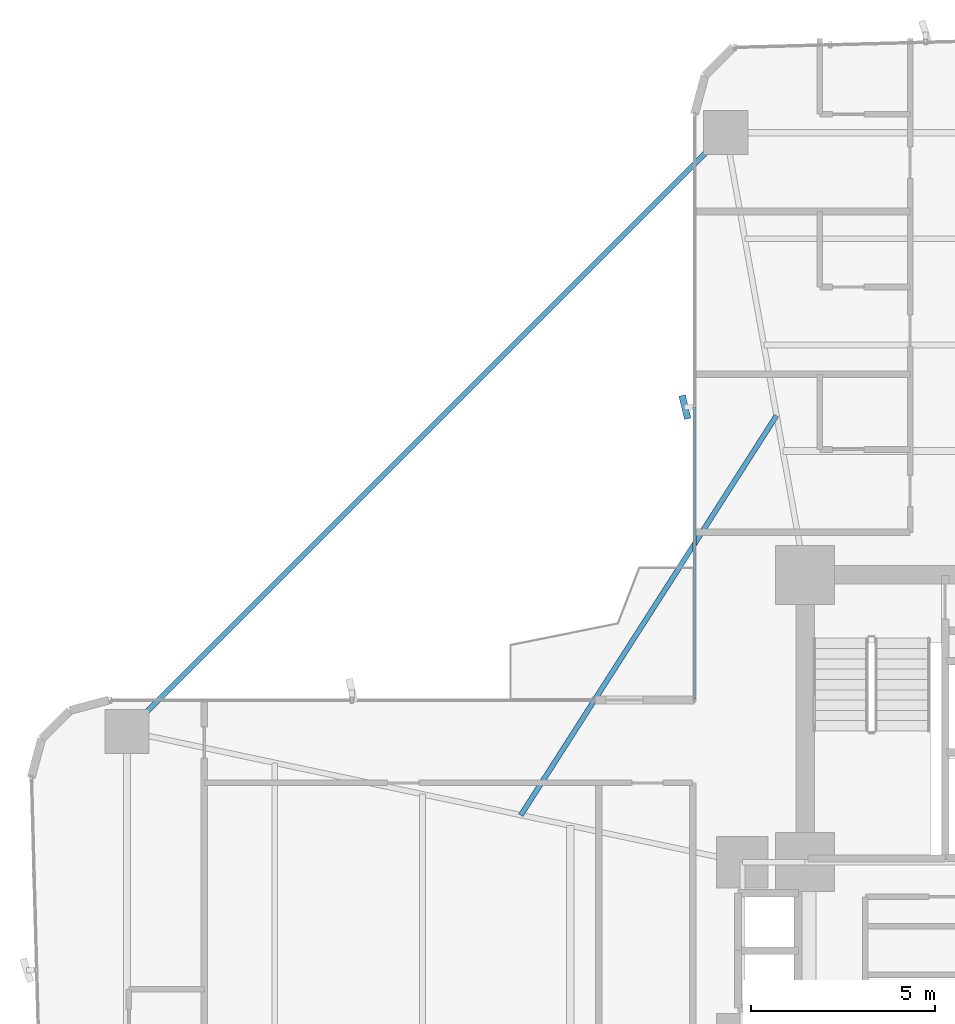
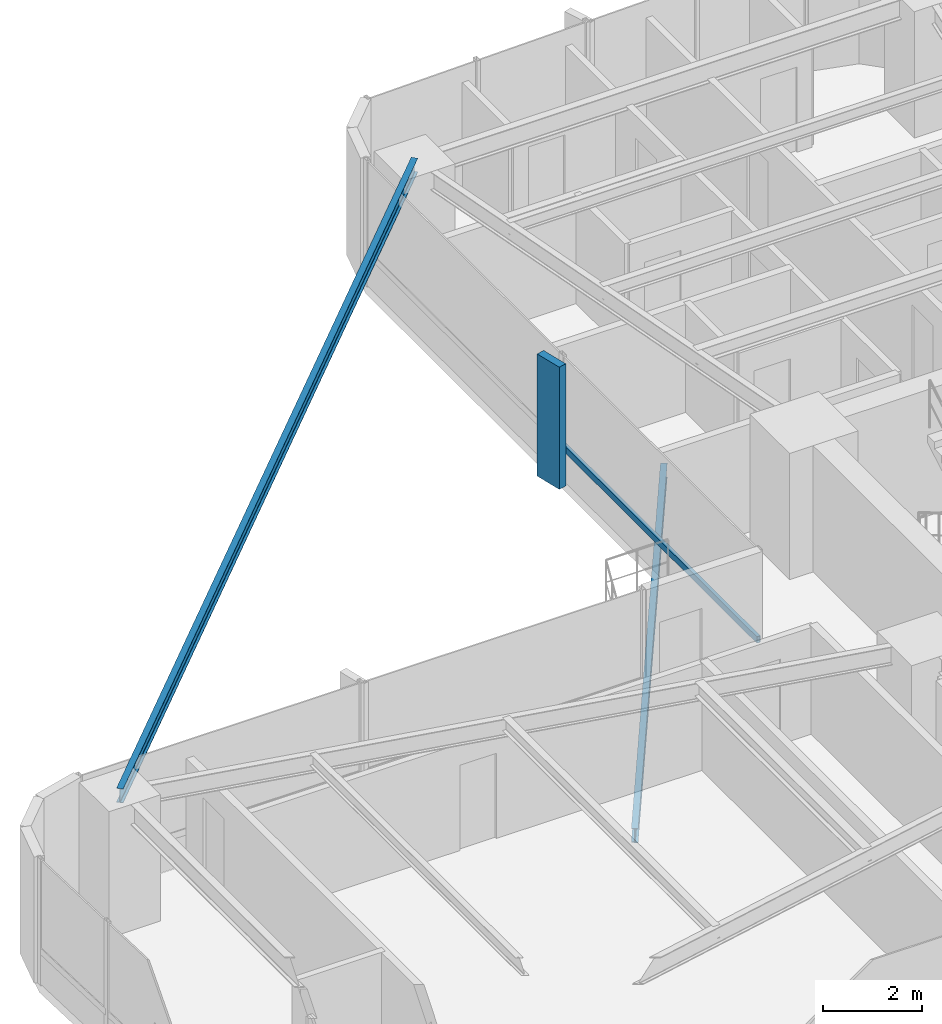
# One storey, part 17 of 25: 2 beams, 2 members, 1 element without a shape of its own.
"""IFC4 building model written with IfcOpenShell, lengths in metres."""

import ifcopenshell
import ifcopenshell.guid

model = None  # the IFC model being written
_history = None  # IfcOwnerHistory: only IFC2X3 demands one
_inside = {}  # id of a spatial element -> (the spatial element, [elements in it])
_under = {}  # id of a project, library or spatial element -> (it, [spatial elements below it])
_declared = {}  # id of a project -> (the project, [libraries it declares])
_typed = {}  # id of a type object -> (the type object, [elements of that type])
_made_of = {}  # id of a material, layer set ... -> (it, [elements and type objects made of it])


def new_model(schema):
    """Start an empty IFC model of exactly this schema.

    Asked for "IFC4X3", IfcOpenShell would pick the latest addendum, in which some entities
    have other attributes; the version numbers below select the first issue.
    IFC2X3 requires an IfcOwnerHistory on every rooted entity: one is made here for all.
    """
    global model, _history
    if schema == "IFC4X3":
        model = ifcopenshell.file(schema_version=(4, 3, 0, 0))
    else:
        model = ifcopenshell.file(schema=schema)
    _inside.clear()
    _under.clear()
    _declared.clear()
    _typed.clear()
    _made_of.clear()
    _history = None
    if model.schema == "IFC2X3":
        org = make("IfcOrganization", Name="unknown")
        user = make(
            "IfcPersonAndOrganization",
            ThePerson=make("IfcPerson", FamilyName="unknown"),
            TheOrganization=org,
        )
        app = make(
            "IfcApplication",
            ApplicationDeveloper=org,
            Version="unknown",
            ApplicationFullName="unknown",
            ApplicationIdentifier="unknown",
        )
        _history = make(
            "IfcOwnerHistory",
            OwningUser=user,
            OwningApplication=app,
            ChangeAction="ADDED",
            CreationDate=0,
        )
    return model


def make(cls, **values):
    """One entity of the class cls with the attributes given. An attribute that is None is left unset."""
    return model.create_entity(
        cls, **{name: value for name, value in values.items() if value is not None}
    )


def rooted(cls, **values):
    """An entity with a GlobalId (a new one), such as an element, a storey or a relation."""
    return make(cls, GlobalId=ifcopenshell.guid.new(), OwnerHistory=_history, **values)


def si_unit(unit_type, name, prefix=None):
    """IfcSIUnit, for example si_unit("LENGTHUNIT", "METRE", prefix="MILLI")."""
    return make("IfcSIUnit", UnitType=unit_type, Prefix=prefix, Name=name)


def assignment(units):
    """IfcUnitAssignment: the units of a project."""
    return None if units is None else make("IfcUnitAssignment", Units=units)


def point(xyz):
    """IfcCartesianPoint."""
    return None if xyz is None else make("IfcCartesianPoint", Coordinates=xyz)


def direction(xyz):
    """IfcDirection."""
    return None if xyz is None else make("IfcDirection", DirectionRatios=xyz)


def frame(location, z_axis=None, x_axis=None):
    """IfcAxis2Placement3D, a coordinate frame: its origin and axes. An axis left out is left unset."""
    return make(
        "IfcAxis2Placement3D",
        Location=point(location),
        Axis=direction(z_axis),
        RefDirection=direction(x_axis),
    )


def frame_2d(location, x_axis=None):
    """IfcAxis2Placement2D, a coordinate frame in the plane: its origin and x axis."""
    return make(
        "IfcAxis2Placement2D", Location=point(location), RefDirection=direction(x_axis)
    )


def origin():
    """The frame at (0, 0, 0) with its axes left unset."""
    return frame((0.0, 0.0, 0.0))


def origin_2d():
    """The frame at (0, 0) in the plane with its x axis left unset."""
    return frame_2d((0.0, 0.0))


def place(relative_to, where):
    """IfcLocalPlacement: puts the frame where relative to a parent placement (None: the world)."""
    return make(
        "IfcLocalPlacement", PlacementRelTo=relative_to, RelativePlacement=where
    )


def context(
    kind, dimensions, precision=None, world=None, true_north=None, identifier=None
):
    """IfcGeometricRepresentationContext, for example the 3D "Model" context."""
    return make(
        "IfcGeometricRepresentationContext",
        ContextIdentifier=identifier,
        ContextType=kind,
        CoordinateSpaceDimension=dimensions,
        Precision=precision,
        WorldCoordinateSystem=world,
        TrueNorth=true_north,
    )


def subcontext(parent, identifier, kind, view, scale=None):
    """IfcGeometricRepresentationSubContext, for example "Body" below "Model"."""
    return make(
        "IfcGeometricRepresentationSubContext",
        ContextIdentifier=identifier,
        ContextType=kind,
        ParentContext=parent,
        TargetScale=scale,
        TargetView=view,
    )


def project(units=None, contexts=None):
    """IfcProject with its units and contexts."""
    return rooted(
        "IfcProject",
        Name="project",
        RepresentationContexts=contexts,
        UnitsInContext=assignment(units),
    )


def spatial(cls, under=None, at=None, **own):
    """A site, building, storey or space (cls), placed at a placement, below another one or the project."""
    s = rooted(cls, ObjectPlacement=at, **own)
    if under is not None:
        _under.setdefault(under.id(), (under, []))[1].append(s)
    return s


def profile(cls, at=None, kind="AREA", **sizes):
    """A parametric profile (cls). Its sizes go by their IFC names, for example OverallWidth=200.0."""
    return make(cls, ProfileType=kind, Position=at, **sizes)


def rectangle(**sizes):
    """IfcRectangleProfileDef."""
    return profile("IfcRectangleProfileDef", **sizes)


def hollow_rectangle(**sizes):
    """IfcRectangleHollowProfileDef."""
    return profile("IfcRectangleHollowProfileDef", **sizes)


def i_section(**sizes):
    """IfcIShapeProfileDef."""
    return profile("IfcIShapeProfileDef", **sizes)


def extrude(swept, where, along, depth):
    """IfcExtrudedAreaSolid: the profile swept, set in the frame where, extruded along a direction by depth."""
    return make(
        "IfcExtrudedAreaSolid",
        SweptArea=swept,
        Position=where,
        ExtrudedDirection=direction(along),
        Depth=depth,
    )


def shape(context_of_items, identifier, shape_type, items):
    """IfcShapeRepresentation: the items that make up one representation, for example the "Body"."""
    return make(
        "IfcShapeRepresentation",
        ContextOfItems=context_of_items,
        RepresentationIdentifier=identifier,
        RepresentationType=shape_type,
        Items=items,
    )


def source(mapping_origin, context_of_items, identifier, shape_type, items):
    """IfcRepresentationMap: a shape defined once, which mapped items show again and again."""
    return make(
        "IfcRepresentationMap",
        MappingOrigin=mapping_origin,
        MappedRepresentation=shape(context_of_items, identifier, shape_type, items),
    )


def transform(
    local_origin,
    x_axis=None,
    y_axis=None,
    z_axis=None,
    scale=None,
    scale2=None,
    scale3=None,
    uniform=True,
):
    """IfcCartesianTransformationOperator3D, or its non-uniform kind. x_axis, y_axis, z_axis: its Axis1, 2, 3."""
    if uniform:
        return make(
            "IfcCartesianTransformationOperator3D",
            Axis1=direction(x_axis),
            Axis2=direction(y_axis),
            LocalOrigin=point(local_origin),
            Scale=scale,
            Axis3=direction(z_axis),
        )
    return make(
        "IfcCartesianTransformationOperator3DnonUniform",
        Axis1=direction(x_axis),
        Axis2=direction(y_axis),
        LocalOrigin=point(local_origin),
        Scale=scale,
        Axis3=direction(z_axis),
        Scale2=scale2,
        Scale3=scale3,
    )


def mapped(mapping_source, mapping_target):
    """IfcMappedItem: shows the shape of a source again, moved by a transform."""
    return make(
        "IfcMappedItem", MappingSource=mapping_source, MappingTarget=mapping_target
    )


def material(Name=None, Category=None):
    """IfcMaterial."""
    return make("IfcMaterial", Name=Name, Category=Category)


def material_profile(
    of_material, cross_section, Name=None, Category=None, Priority=None
):
    """IfcMaterialProfile: a cross section and its material."""
    return make(
        "IfcMaterialProfile",
        Name=Name,
        Material=of_material,
        Profile=cross_section,
        Priority=Priority,
        Category=Category,
    )


def profile_set(profiles, Name=None, composite=None):
    """IfcMaterialProfileSet."""
    return make(
        "IfcMaterialProfileSet",
        Name=Name,
        MaterialProfiles=profiles,
        CompositeProfile=composite,
    )


def made_of(thing, what):
    """Note that an element or type object is made of a material, layer set ...; save() writes the relation."""
    if what is not None:
        _made_of.setdefault(what.id(), (what, []))[1].append(thing)
    return thing


def type_object(cls, material=None, **own):
    """A type object (cls), such as IfcWallType, which elements share."""
    return made_of(rooted(cls, **own), material)


def element(
    cls,
    number,
    at=None,
    inside=None,
    cuts=None,
    type_object=None,
    material=None,
    context=None,
    identifier="Body",
    shape_type=None,
    held_by="IfcProductDefinitionShape",
    body=None,
    shapes=None,
    **own,
):
    """One element of the class cls, such as IfcWall. Its Tag is "e" and its number.

    at: its placement. inside: the storey or other place that contains it. cuts: it is an
    opening in that element (IfcRelVoidsElement). A single representation is given by context,
    identifier, shape_type and body (its items); several are given by shapes. held_by: the class
    of the entity that holds the representations. save() writes the other relations.
    """
    e = rooted(cls, Tag="e%d" % number, ObjectPlacement=at, **own)
    if body is not None:
        shapes = [shape(context, identifier, shape_type, body)]
    if shapes is not None:
        e.Representation = make(held_by, Representations=shapes)
    if inside is not None:
        _inside.setdefault(inside.id(), (inside, []))[1].append(e)
    if cuts is not None:
        rooted(
            "IfcRelVoidsElement", RelatingBuildingElement=cuts, RelatedOpeningElement=e
        )
    if type_object is not None:
        _typed.setdefault(type_object.id(), (type_object, []))[1].append(e)
    return made_of(e, material)


def aggregate(whole, parts):
    """IfcRelAggregates: a whole, such as a stair, and the parts it consists of."""
    return rooted("IfcRelAggregates", RelatingObject=whole, RelatedObjects=parts)


def save(model, path):
    """Write the relations noted so far, then the file.

    IfcRelAggregates (storeys below a building ...), IfcRelContainedInSpatialStructure (elements
    in a storey), IfcRelDefinesByType, IfcRelAssociatesMaterial and IfcRelDeclares: one each for
    every whole, place, type object, material and project.
    """
    for whole, parts in _under.values():
        aggregate(whole, parts)
    for where, things in _inside.values():
        rooted(
            "IfcRelContainedInSpatialStructure",
            RelatedElements=things,
            RelatingStructure=where,
        )
    for kind, things in _typed.values():
        rooted("IfcRelDefinesByType", RelatedObjects=things, RelatingType=kind)
    for what, things in _made_of.values():
        rooted("IfcRelAssociatesMaterial", RelatedObjects=things, RelatingMaterial=what)
    for by, libraries in _declared.values():
        rooted("IfcRelDeclares", RelatingContext=by, RelatedDefinitions=libraries)
    model.write(path)


model = new_model("IFC4")

# Units and contexts
model_context = context("Model", 3, precision=1e-05, world=origin(), true_north=direction((0.0, 1.0)))
body_context = subcontext(model_context, "Body", "Model", "MODEL_VIEW")
ifc_project = project(units=[si_unit("LENGTHUNIT", "METRE"), si_unit("AREAUNIT", "SQUARE_METRE"), si_unit("VOLUMEUNIT", "CUBIC_METRE"), si_unit("PLANEANGLEUNIT", "RADIAN"), si_unit("MASSUNIT", "GRAM", prefix="KILO")], contexts=[model_context])

# Site, building, storey
site_placement = place(None, origin())
site = spatial("IfcSite", under=ifc_project, at=site_placement, CompositionType="ELEMENT")
building_placement = place(site_placement, origin())
building = spatial("IfcBuilding", under=site, at=building_placement, Name="Sahyath Konkavel Grand Hotel", CompositionType="ELEMENT")
storey_placement = place(building_placement, frame((0.0, 0.0, 36.5)))
storey = spatial("IfcBuildingStorey", under=building, at=storey_placement, Name="L09", CompositionType="ELEMENT", Elevation=36.5)

# Beam
ifc_material_1 = material(Name="Steel E350", Category="steel")
ifc_material_profile_1 = material_profile(ifc_material_1, i_section(OverallWidth=0.139892578125, OverallDepth=0.35009765625, WebThickness=0.008056640625, FlangeThickness=0.01416015625, FilletRadius=0.013916015625, at=origin_2d()), Name="ISMB 350")
ifc_profile_set_1 = profile_set([ifc_material_profile_1], Name="Steel E350")
beam_type_1 = type_object("IfcBeamType", Name="BM-ISMB350", PredefinedType="BEAM", material=ifc_profile_set_1)
shared_shape_1 = source(origin(), body_context, "Body", "SweptSolid", [
    extrude(i_section(OverallWidth=0.139892578125, OverallDepth=0.35009765625, WebThickness=0.008056640625, FlangeThickness=0.01416015625, FilletRadius=0.013916015625, at=origin_2d()), origin(), (0.0, 0.0, 1.0), 22.98095703125),
])
beam_1_placement = place(storey_placement, frame((-5.949951171875, 22.199951171875, 2.93505859375), z_axis=(-0.707106781187, -0.707106781187, 0.0), x_axis=(0.707106781187, -0.707106781187, 0.0)))
element("IfcBeam", 1, at=beam_1_placement, inside=storey, type_object=beam_type_1, Name="L09 Re-Entrant Tie Beam NW", PredefinedType="BEAM", context=body_context, shape_type="MappedRepresentation", body=[
    mapped(shared_shape_1, transform((0.0, 0.0, 0.0), scale=1.0)),
])

# Curtain wall, members
ifc_material_2 = material(Name="Anodised Bronze Aluminium & Low-E Glazing", Category="aluminium")
curtain_wall_type = type_object("IfcCurtainWallType", Name="CW-ZONE1", PredefinedType="NOTDEFINED", material=ifc_material_2)
curtain_wall_placement = place(storey_placement, origin())
curtain_wall = element("IfcCurtainWall", 2, at=curtain_wall_placement, inside=storey, type_object=curtain_wall_type, Name="L09 Unitised Curtain Wall F15", PredefinedType="NOTDEFINED")
ifc_material_3 = material(Name="Warm Buff Sandstone Cladding on Concrete C50/60", Category="masonry")
ifc_material_profile_2 = material_profile(ifc_material_3, rectangle(XDim=0.179931640625, YDim=0.64990234375, at=origin_2d()), Name="FIN 180x650")
ifc_profile_set_2 = profile_set([ifc_material_profile_2], Name="Warm Buff Sandstone Cladding on Concrete C50/60")
member_type_1 = type_object("IfcMemberType", Name="FIN-SANDSTONE-650", PredefinedType="MULLION", material=ifc_profile_set_2)
shared_shape_2 = source(origin(), body_context, "Body", "SweptSolid", [
    extrude(rectangle(XDim=0.179931640625, YDim=0.64990234375, at=origin_2d()), origin(), (0.0, 0.0, 1.0), 3.010009765625),
])
member_1_placement = place(storey_placement, frame((-7.06005859375, 14.75, 0.050048828125), z_axis=(0.0, 0.0, 1.0), x_axis=(0.972369920398, 0.233445363856, 0.0)))
member_1 = element("IfcMember", 3, at=member_1_placement, type_object=member_type_1, Name="L09 Sandstone Vertical Solar Fin FIN F15-1", PredefinedType="MULLION", context=body_context, shape_type="MappedRepresentation", body=[
    mapped(shared_shape_2, transform((0.0, 0.0, 0.0), scale=1.0)),
])
ifc_material_4 = material(Name="Anodised Bronze Aluminium", Category="aluminium")
ifc_material_profile_3 = material_profile(ifc_material_4, hollow_rectangle(XDim=0.080078125, YDim=0.159912109375, WallThickness=0.006103515625, at=origin_2d()), Name="RHS 160x80x6")
ifc_profile_set_3 = profile_set([ifc_material_profile_3], Name="Anodised Bronze Aluminium")
member_type_2 = type_object("IfcMemberType", Name="CW-TRN-160", PredefinedType="USERDEFINED", material=ifc_profile_set_3)
shared_shape_3 = source(origin(), body_context, "Body", "SweptSolid", [
    extrude(hollow_rectangle(XDim=0.080078125, YDim=0.159912109375, WallThickness=0.006103515625, at=origin_2d()), origin(), (0.0, 0.0, 1.0), 7.909912109375),
])
member_2_placement = place(storey_placement, frame((-6.800048828125, 14.75, 0.85009765625), z_axis=(0.0, -1.0, 0.0), x_axis=(1.0, 0.0, 0.0)))
member_2 = element("IfcMember", 4, at=member_2_placement, type_object=member_type_2, Name="L09 Curtain Wall Transom F15-1-spandrel", ObjectType="TRANSOM", PredefinedType="USERDEFINED", context=body_context, shape_type="MappedRepresentation", body=[
    mapped(shared_shape_3, transform((0.0, 0.0, 0.0), scale=1.0)),
])
aggregate(curtain_wall, [member_1, member_2])

# Beam
ifc_material_profile_4 = material_profile(ifc_material_1, i_section(OverallWidth=0.139892578125, OverallDepth=0.35009765625, WebThickness=0.008056640625, FlangeThickness=0.01416015625, FilletRadius=0.013916015625, at=origin_2d()), Name="ISMB 350")
ifc_profile_set_4 = profile_set([ifc_material_profile_4], Name="Steel E350")
beam_type_2 = type_object("IfcBeamType", Name="BM-BALC-CANT", PredefinedType="BEAM", material=ifc_profile_set_4)
shared_shape_4 = source(origin(), body_context, "Body", "SweptSolid", [
    extrude(i_section(OverallWidth=0.139892578125, OverallDepth=0.35009765625, WebThickness=0.008056640625, FlangeThickness=0.01416015625, FilletRadius=0.013916015625, at=origin_2d()), origin(), (0.0, 0.0, 1.0), 12.871826171875),
])
beam_2_placement = place(storey_placement, frame((-4.573974609375, 14.52001953125, -0.4150390625), z_axis=(-0.539003102535, -0.842303778608, 0.0), x_axis=(0.842303778608, -0.539003102535, 0.0)))
element("IfcBeam", 5, at=beam_2_placement, inside=storey, type_object=beam_type_2, Name="L09 Balcony Cantilever Support Beam NW", PredefinedType="BEAM", context=body_context, shape_type="MappedRepresentation", body=[
    mapped(shared_shape_4, transform((0.0, 0.0, 0.0), scale=1.0)),
])

save(model, "model.ifc")
